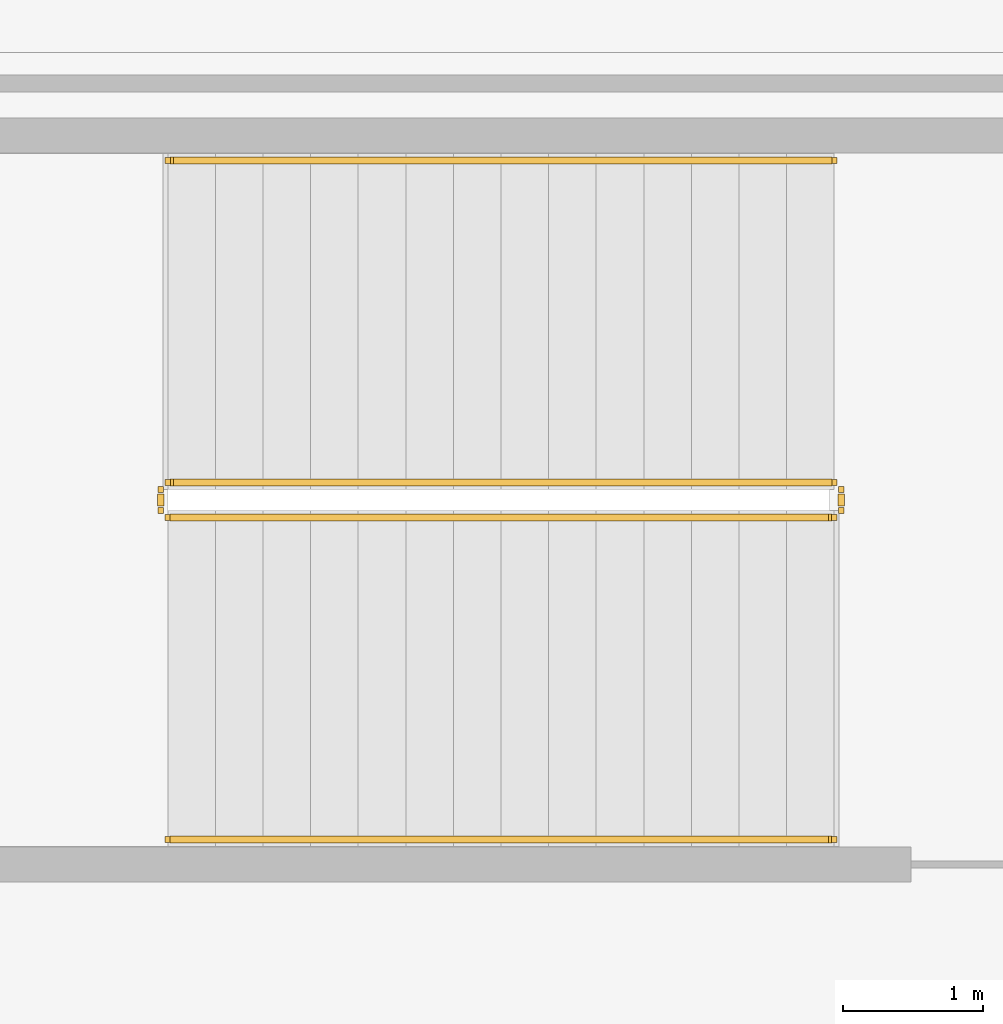
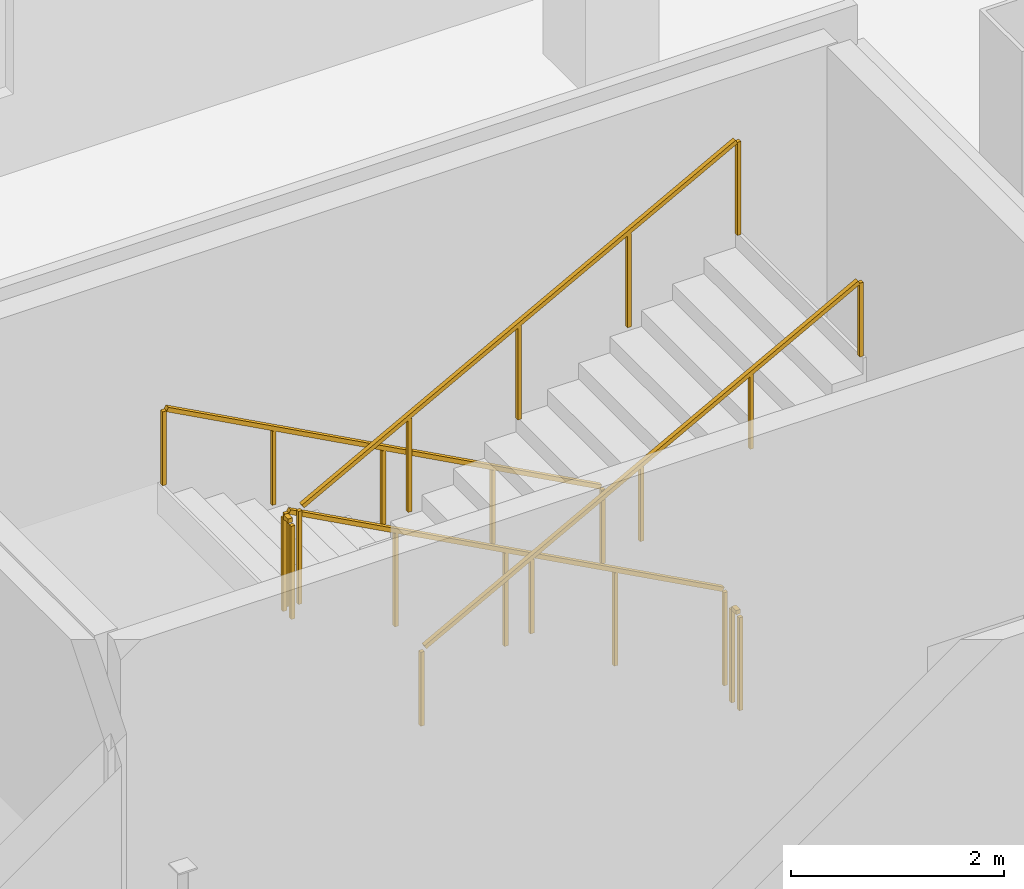
# One storey, part 16 of 16: 6 railings.
"""IFC4 building model written with IfcOpenShell, lengths in metres."""

from ifc_helpers import new_model, si_unit, direction, frame, origin, origin_2d, place, context, subcontext, project, spatial, rectangle, extrude, material, type_object, element, save


model = new_model("IFC4")

# Units and contexts
model_context = context("Model", 3, precision=1e-05, world=origin(), true_north=direction((0.0, 1.0)))
body_context = subcontext(model_context, "Body", "Model", "MODEL_VIEW")
ifc_project = project(units=[si_unit("LENGTHUNIT", "METRE"), si_unit("AREAUNIT", "SQUARE_METRE"), si_unit("VOLUMEUNIT", "CUBIC_METRE"), si_unit("PLANEANGLEUNIT", "RADIAN"), si_unit("MASSUNIT", "GRAM", prefix="KILO")], contexts=[model_context])

# Site, building, storey
site_placement = place(None, origin())
site = spatial("IfcSite", under=ifc_project, at=site_placement, CompositionType="ELEMENT")
building_placement = place(site_placement, origin())
building = spatial("IfcBuilding", under=site, at=building_placement, Name="Tharavind Bronze Gate", CompositionType="ELEMENT")
storey_placement = place(building_placement, frame((0.0, 0.0, 5.5)))
storey = spatial("IfcBuildingStorey", under=building, at=storey_placement, Name="L01", CompositionType="ELEMENT", Elevation=5.5)

# Railings
ifc_material = material(Name="Brushed Bronze Alloy", Category="metal")
railing_type_1 = type_object("IfcRailingType", Name="STAIR BRONZE HANDRAIL 900", PredefinedType="HANDRAIL", material=ifc_material)
railing_1_placement = place(storey_placement, frame((26.0, 17.89990234375, 0.183349609375)))
element("IfcRailing", 1, at=railing_1_placement, inside=storey, type_object=railing_type_1, Name="L01 ST4 stair handrail 1", PredefinedType="HANDRAIL", context=body_context, shape_type="SweptSolid", body=[
    extrude(rectangle(XDim=0.048095703125, YDim=0.048095703125, at=origin_2d()), frame((-0.028076171875, 0.0, 0.89111328125), z_axis=(-0.880195524343, 0.0, 0.474611250316), x_axis=(0.0, -1.0, 0.0)), (0.0, 0.0, 1.0), 5.343994140625),
    extrude(rectangle(XDim=0.0400390625, YDim=0.0400390625, at=origin_2d()), origin(), (0.0, 0.0, 1.0), 0.847900390625),
    extrude(rectangle(XDim=0.0400390625, YDim=0.0400390625, at=origin_2d()), frame((-1.18994140625, 0.0, 0.6416015625)), (0.0, 0.0, 1.0), 0.847900390625),
    extrude(rectangle(XDim=0.0400390625, YDim=0.0400390625, at=origin_2d()), frame((-2.3798828125, 0.0, 1.283203125)), (0.0, 0.0, 1.0), 0.847900390625),
    extrude(rectangle(XDim=0.0400390625, YDim=0.0400390625, at=origin_2d()), frame((-3.570068359375, 0.0, 1.925048828125)), (0.0, 0.0, 1.0), 0.847900390625),
    extrude(rectangle(XDim=0.0400390625, YDim=0.0400390625, at=origin_2d()), frame((-4.760009765625, 0.0, 2.566650390625)), (0.0, 0.0, 1.0), 0.847900390625),
])
railing_2_placement = place(storey_placement, frame((21.239990234375, 13.050048828125, 2.933349609375)))
element("IfcRailing", 2, at=railing_2_placement, inside=storey, type_object=railing_type_1, Name="L01 ST4 stair handrail 2", PredefinedType="HANDRAIL", context=body_context, shape_type="SweptSolid", body=[
    extrude(rectangle(XDim=0.048095703125, YDim=0.048095703125, at=origin_2d()), frame((0.028076171875, 0.0, 0.89111328125), z_axis=(0.880195524343, 0.0, 0.474611250316), x_axis=(0.0, 1.0, 0.0)), (0.0, 0.0, 1.0), 5.343994140625),
    extrude(rectangle(XDim=0.0400390625, YDim=0.0400390625, at=origin_2d()), origin(), (0.0, 0.0, 1.0), 0.847900390625),
    extrude(rectangle(XDim=0.0400390625, YDim=0.0400390625, at=origin_2d()), frame((1.18994140625, 0.0, 0.6416015625)), (0.0, 0.0, 1.0), 0.847900390625),
    extrude(rectangle(XDim=0.0400390625, YDim=0.0400390625, at=origin_2d()), frame((2.3798828125, 0.0, 1.283203125)), (0.0, 0.0, 1.0), 0.847900390625),
    extrude(rectangle(XDim=0.0400390625, YDim=0.0400390625, at=origin_2d()), frame((3.570068359375, 0.0, 1.925048828125)), (0.0, 0.0, 1.0), 0.847900390625),
    extrude(rectangle(XDim=0.0400390625, YDim=0.0400390625, at=origin_2d()), frame((4.760009765625, 0.0, 2.566650390625)), (0.0, 0.0, 1.0), 0.847900390625),
])
railing_type_2 = type_object("IfcRailingType", Name="STAIR WELL GUARD RAILING 1120", PredefinedType="GUARDRAIL", material=ifc_material)
railing_3_placement = place(storey_placement, frame((26.0, 15.60009765625, 0.183349609375)))
element("IfcRailing", 3, at=railing_3_placement, inside=storey, type_object=railing_type_2, Name="L01 ST4 stair guard 1", PredefinedType="GUARDRAIL", context=body_context, shape_type="SweptSolid", body=[
    extrude(rectangle(XDim=0.048095703125, YDim=0.048095703125, at=origin_2d()), frame((-0.028076171875, 0.0, 1.111328125), z_axis=(-0.880195524343, 0.0, 0.474611250316), x_axis=(0.0, -1.0, 0.0)), (0.0, 0.0, 1.0), 5.343994140625),
    extrude(rectangle(XDim=0.0400390625, YDim=0.0400390625, at=origin_2d()), origin(), (0.0, 0.0, 1.0), 1.068115234375),
    extrude(rectangle(XDim=0.0400390625, YDim=0.0400390625, at=origin_2d()), frame((-1.18994140625, 0.0, 0.6416015625)), (0.0, 0.0, 1.0), 1.068115234375),
    extrude(rectangle(XDim=0.0400390625, YDim=0.0400390625, at=origin_2d()), frame((-2.3798828125, 0.0, 1.283203125)), (0.0, 0.0, 1.0), 1.068115234375),
    extrude(rectangle(XDim=0.0400390625, YDim=0.0400390625, at=origin_2d()), frame((-3.570068359375, 0.0, 1.925048828125)), (0.0, 0.0, 1.0), 1.068115234375),
    extrude(rectangle(XDim=0.0400390625, YDim=0.0400390625, at=origin_2d()), frame((-4.760009765625, 0.0, 2.566650390625)), (0.0, 0.0, 1.0), 1.068115234375),
])
railing_4_placement = place(storey_placement, frame((21.18994140625, 15.550048828125, 2.75)))
element("IfcRailing", 4, at=railing_4_placement, inside=storey, type_object=railing_type_2, Name="L01 ST4 stair guard 2", PredefinedType="GUARDRAIL", context=body_context, shape_type="SweptSolid", body=[
    extrude(rectangle(XDim=0.048095703125, YDim=0.048095703125, at=origin_2d()), frame((0.0, -0.031982421875, 1.09619140625), z_axis=(0.0, -1.0, 0.0), x_axis=(1.0, 0.0, 0.0)), (0.0, 0.0, 1.0), 0.086181640625),
    extrude(rectangle(XDim=0.0400390625, YDim=0.0400390625, at=origin_2d()), origin(), (0.0, 0.0, 1.0), 1.068115234375),
    extrude(rectangle(XDim=0.0400390625, YDim=0.0400390625, at=origin_2d()), frame((0.0, -0.150146484375, 0.0)), (0.0, 0.0, 1.0), 1.068115234375),
])
railing_5_placement = place(storey_placement, frame((21.239990234375, 15.35009765625, 2.933349609375)))
element("IfcRailing", 5, at=railing_5_placement, inside=storey, type_object=railing_type_2, Name="L01 ST4 stair guard 3", PredefinedType="GUARDRAIL", context=body_context, shape_type="SweptSolid", body=[
    extrude(rectangle(XDim=0.048095703125, YDim=0.048095703125, at=origin_2d()), frame((0.028076171875, 0.0, 1.111328125), z_axis=(0.880195524343, 0.0, 0.474611250316), x_axis=(0.0, 1.0, 0.0)), (0.0, 0.0, 1.0), 5.343994140625),
    extrude(rectangle(XDim=0.0400390625, YDim=0.0400390625, at=origin_2d()), origin(), (0.0, 0.0, 1.0), 1.068115234375),
    extrude(rectangle(XDim=0.0400390625, YDim=0.0400390625, at=origin_2d()), frame((1.18994140625, 0.0, 0.6416015625)), (0.0, 0.0, 1.0), 1.068115234375),
    extrude(rectangle(XDim=0.0400390625, YDim=0.0400390625, at=origin_2d()), frame((2.3798828125, 0.0, 1.283203125)), (0.0, 0.0, 1.0), 1.068115234375),
    extrude(rectangle(XDim=0.0400390625, YDim=0.0400390625, at=origin_2d()), frame((3.570068359375, 0.0, 1.925048828125)), (0.0, 0.0, 1.0), 1.068115234375),
    extrude(rectangle(XDim=0.0400390625, YDim=0.0400390625, at=origin_2d()), frame((4.760009765625, 0.0, 2.566650390625)), (0.0, 0.0, 1.0), 1.068115234375),
])
railing_6_placement = place(storey_placement, frame((26.050048828125, 15.550048828125, 0.0)))
element("IfcRailing", 6, at=railing_6_placement, inside=storey, type_object=railing_type_2, Name="L01 ST4 stair guard 4", PredefinedType="GUARDRAIL", context=body_context, shape_type="SweptSolid", body=[
    extrude(rectangle(XDim=0.048095703125, YDim=0.048095703125, at=origin_2d()), frame((0.0, -0.031982421875, 1.09619140625), z_axis=(0.0, -1.0, 0.0), x_axis=(1.0, 0.0, 0.0)), (0.0, 0.0, 1.0), 0.086181640625),
    extrude(rectangle(XDim=0.0400390625, YDim=0.0400390625, at=origin_2d()), origin(), (0.0, 0.0, 1.0), 1.068115234375),
    extrude(rectangle(XDim=0.0400390625, YDim=0.0400390625, at=origin_2d()), frame((0.0, -0.150146484375, 0.0)), (0.0, 0.0, 1.0), 1.068115234375),
])

save(model, "model.ifc")
